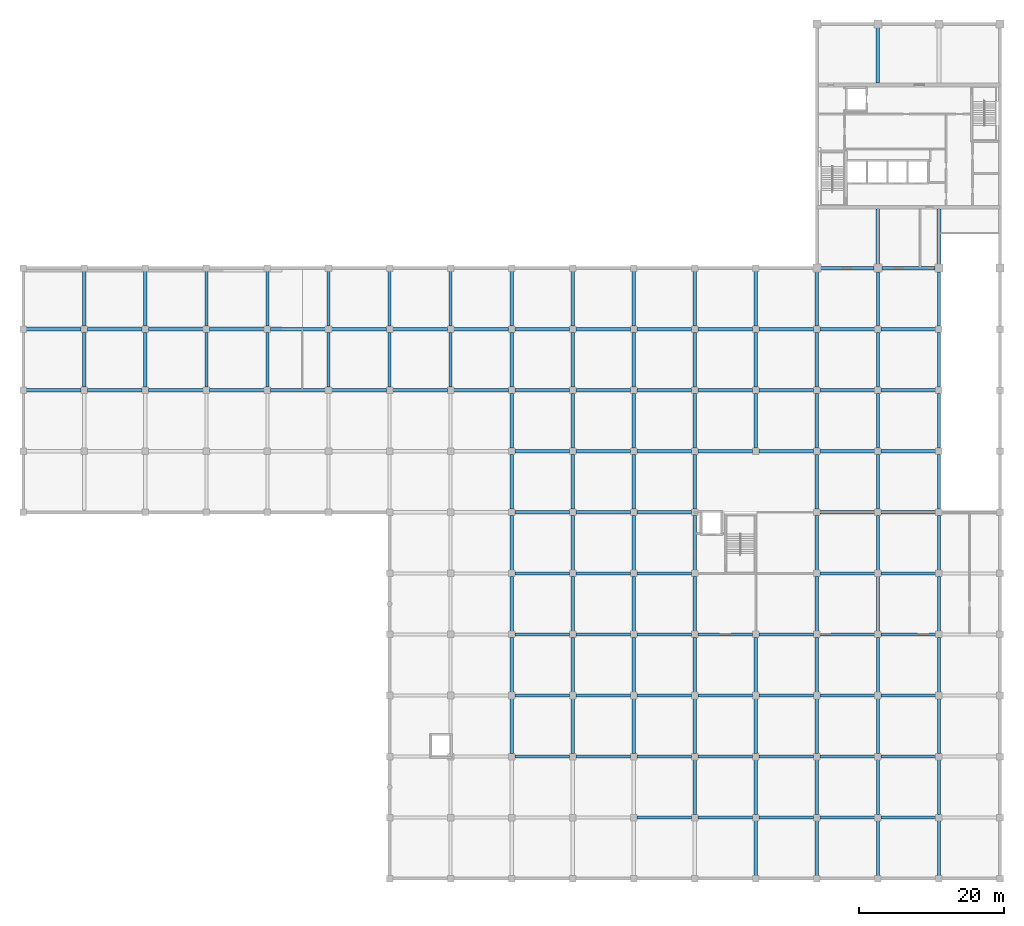
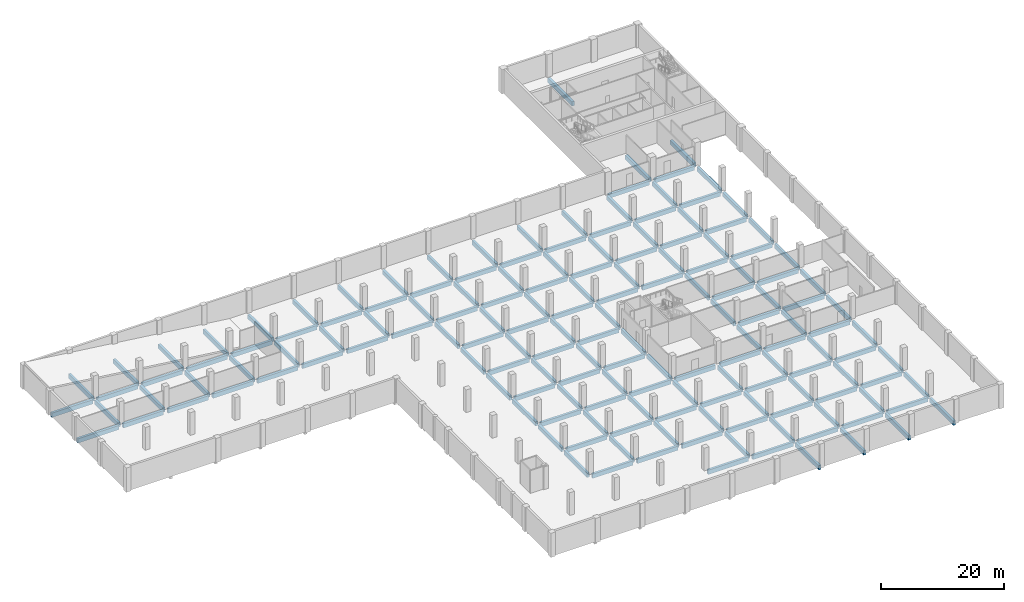
# One storey, part 2 of 13: 162 beams.
"""IFC4 building model written with IfcOpenShell, lengths in metres."""

from ifc_helpers import new_model, si_unit, direction, frame, origin, origin_2d, place, context, subcontext, project, spatial, rectangle, extrude, material, material_profile, profile_set, type_object, element, save


model = new_model("IFC4")

# Units and contexts
model_context = context("Model", 3, precision=1e-05, world=origin(), true_north=direction((0.0, 1.0)))
body_context = subcontext(model_context, "Body", "Model", "MODEL_VIEW")
ifc_project = project(units=[si_unit("LENGTHUNIT", "METRE"), si_unit("AREAUNIT", "SQUARE_METRE"), si_unit("VOLUMEUNIT", "CUBIC_METRE"), si_unit("PLANEANGLEUNIT", "RADIAN"), si_unit("MASSUNIT", "GRAM", prefix="KILO")], contexts=[model_context])

# Site, building, storey
site_placement = place(None, origin())
site = spatial("IfcSite", under=ifc_project, at=site_placement, CompositionType="ELEMENT")
building_placement = place(site_placement, origin())
building = spatial("IfcBuilding", under=site, at=building_placement, Name="Rulbaag Community and Learning Centre", CompositionType="ELEMENT")
storey_placement = place(building_placement, frame((0.0, 0.0, -4.800048828125)))
storey = spatial("IfcBuildingStorey", under=building, at=storey_placement, Name="B1", CompositionType="ELEMENT", Elevation=-4.800048828125)

# Beams
ifc_material = material(Name="Concrete M40", Category="concrete")
ifc_material_profile_1 = material_profile(ifc_material, rectangle(XDim=0.449951171875, YDim=0.800048828125, at=origin_2d()), Name="RB450x800")
ifc_profile_set_1 = profile_set([ifc_material_profile_1], Name="Concrete M40")
beam_type_1 = type_object("IfcBeamType", Name="B16 Tower frame beam, lower zone 450x800 Concrete M40", PredefinedType="BEAM", material=ifc_profile_set_1)
beam_1_placement = place(storey_placement, frame((143.10009765625, 84.0, -0.699951171875), z_axis=(1.0, 0.0, 0.0), x_axis=(0.0, 1.0, 0.0)))
element("IfcBeam", 1, at=beam_1_placement, inside=storey, type_object=beam_type_1, Name="BM-B1-18K-19K", PredefinedType="BEAM", context=body_context, shape_type="SweptSolid", body=[
    extrude(rectangle(XDim=0.449951171875, YDim=0.800048828125, at=origin_2d()), origin(), (0.0, 0.0, 1.0), 7.56982421875),
])
beam_2_placement = place(storey_placement, frame((151.72998046875, 84.0, -0.699951171875), z_axis=(1.0, 0.0, 0.0), x_axis=(0.0, 1.0, 0.0)))
element("IfcBeam", 2, at=beam_2_placement, inside=storey, type_object=beam_type_1, Name="BM-B1-19K-20K", PredefinedType="BEAM", context=body_context, shape_type="SweptSolid", body=[
    extrude(rectangle(XDim=0.449951171875, YDim=0.800048828125, at=origin_2d()), origin(), (0.0, 0.0, 1.0), 7.340087890625),
])
ifc_material_profile_2 = material_profile(ifc_material, rectangle(XDim=0.5, YDim=0.85009765625, at=origin_2d()), Name="RB500x850")
ifc_profile_set_2 = profile_set([ifc_material_profile_2], Name="Concrete M40")
beam_type_2 = type_object("IfcBeamType", Name="B18 Core-framing beam, lower zone 500x850 Concrete M40", PredefinedType="BEAM", material=ifc_profile_set_2)
beam_3_placement = place(storey_placement, frame((151.199951171875, 84.530029296875, -0.724853515625), z_axis=(0.0, 1.0, 0.0), x_axis=(-1.0, 0.0, 0.0)))
element("IfcBeam", 3, at=beam_3_placement, inside=storey, type_object=beam_type_2, Name="BM-B1-19K-19L", PredefinedType="BEAM", context=body_context, shape_type="SweptSolid", body=[
    extrude(rectangle(XDim=0.5, YDim=0.85009765625, at=origin_2d()), origin(), (0.0, 0.0, 1.0), 7.619873046875),
])
beam_4_placement = place(storey_placement, frame((151.199951171875, 109.449951171875, -0.724853515625), z_axis=(0.0, 1.0, 0.0), x_axis=(-1.0, 0.0, 0.0)))
element("IfcBeam", 4, at=beam_4_placement, inside=storey, type_object=beam_type_2, Name="BM-B1-19N-19O", PredefinedType="BEAM", context=body_context, shape_type="SweptSolid", body=[
    extrude(rectangle(XDim=0.5, YDim=0.85009765625, at=origin_2d()), origin(), (0.0, 0.0, 1.0), 7.85009765625),
])
beam_5_placement = place(storey_placement, frame((159.60009765625, 84.530029296875, -0.724853515625), z_axis=(0.0, 1.0, 0.0), x_axis=(-1.0, 0.0, 0.0)))
element("IfcBeam", 5, at=beam_5_placement, inside=storey, type_object=beam_type_2, Name="BM-B1-20K-20L", PredefinedType="BEAM", context=body_context, shape_type="SweptSolid", body=[
    extrude(rectangle(XDim=0.5, YDim=0.85009765625, at=origin_2d()), origin(), (0.0, 0.0, 1.0), 7.619873046875),
])
ifc_material_profile_3 = material_profile(ifc_material, rectangle(XDim=0.449951171875, YDim=0.85009765625, at=origin_2d()), Name="RB450x850")
ifc_profile_set_3 = profile_set([ifc_material_profile_3], Name="Concrete M40")
beam_type_3 = type_object("IfcBeamType", Name="B24 Basement floor beam 450x850 Concrete M40", PredefinedType="BEAM", material=ifc_profile_set_3)
for number, where, z_axis, x_axis, name in (
    (6, (33.89990234375, 67.199951171875, -0.724853515625), (1.0, 0.0, 0.0), (0.0, 1.0, 0.0), "BM-B1-5I-6I"),
    (7, (33.89990234375, 75.60009765625, -0.724853515625), (1.0, 0.0, 0.0), (0.0, 1.0, 0.0), "BM-B1-5J-6J"),
):
    element("IfcBeam", number, at=place(storey_placement, frame(where, z_axis=z_axis, x_axis=x_axis)), inside=storey, type_object=beam_type_3, Name=name, PredefinedType="BEAM", context=body_context, shape_type="SweptSolid", body=[
        extrude(rectangle(XDim=0.449951171875, YDim=0.85009765625, at=origin_2d()), origin(), (0.0, 0.0, 1.0), 7.670166015625),
    ])
for number, where, z_axis, x_axis, name in (
    (8, (42.429931640625, 67.199951171875, -0.724853515625), (1.0, 0.0, 0.0), (0.0, 1.0, 0.0), "BM-B1-6I-7I"),
    (9, (42.0, 67.6298828125, -0.724853515625), (0.0, 1.0, 0.0), (-1.0, 0.0, 0.0), "BM-B1-6I-6J"),
    (10, (42.429931640625, 75.60009765625, -0.724853515625), (1.0, 0.0, 0.0), (0.0, 1.0, 0.0), "BM-B1-6J-7J"),
):
    element("IfcBeam", number, at=place(storey_placement, frame(where, z_axis=z_axis, x_axis=x_axis)), inside=storey, type_object=beam_type_3, Name=name, PredefinedType="BEAM", context=body_context, shape_type="SweptSolid", body=[
        extrude(rectangle(XDim=0.449951171875, YDim=0.85009765625, at=origin_2d()), origin(), (0.0, 0.0, 1.0), 7.5400390625),
    ])
beam_6_placement = place(storey_placement, frame((42.0, 76.030029296875, -0.724853515625), z_axis=(0.0, 1.0, 0.0), x_axis=(-1.0, 0.0, 0.0)))
element("IfcBeam", 11, at=beam_6_placement, inside=storey, type_object=beam_type_3, Name="BM-B1-6J-6K", PredefinedType="BEAM", context=body_context, shape_type="SweptSolid", body=[
    extrude(rectangle(XDim=0.449951171875, YDim=0.85009765625, at=origin_2d()), origin(), (0.0, 0.0, 1.0), 7.669921875),
])
for number, where, z_axis, x_axis, name in (
    (12, (50.830078125, 67.199951171875, -0.724853515625), (1.0, 0.0, 0.0), (0.0, 1.0, 0.0), "BM-B1-7I-8I"),
    (13, (50.39990234375, 67.6298828125, -0.724853515625), (0.0, 1.0, 0.0), (-1.0, 0.0, 0.0), "BM-B1-7I-7J"),
    (14, (50.830078125, 75.60009765625, -0.724853515625), (1.0, 0.0, 0.0), (0.0, 1.0, 0.0), "BM-B1-7J-8J"),
):
    element("IfcBeam", number, at=place(storey_placement, frame(where, z_axis=z_axis, x_axis=x_axis)), inside=storey, type_object=beam_type_3, Name=name, PredefinedType="BEAM", context=body_context, shape_type="SweptSolid", body=[
        extrude(rectangle(XDim=0.449951171875, YDim=0.85009765625, at=origin_2d()), origin(), (0.0, 0.0, 1.0), 7.5400390625),
    ])
beam_7_placement = place(storey_placement, frame((50.39990234375, 76.030029296875, -0.724853515625), z_axis=(0.0, 1.0, 0.0), x_axis=(-1.0, 0.0, 0.0)))
element("IfcBeam", 15, at=beam_7_placement, inside=storey, type_object=beam_type_3, Name="BM-B1-7J-7K", PredefinedType="BEAM", context=body_context, shape_type="SweptSolid", body=[
    extrude(rectangle(XDim=0.449951171875, YDim=0.85009765625, at=origin_2d()), origin(), (0.0, 0.0, 1.0), 7.669921875),
])
for number, where, z_axis, x_axis, name in (
    (16, (59.22998046875, 67.199951171875, -0.724853515625), (1.0, 0.0, 0.0), (0.0, 1.0, 0.0), "BM-B1-8I-9I"),
    (17, (58.800048828125, 67.6298828125, -0.724853515625), (0.0, 1.0, 0.0), (-1.0, 0.0, 0.0), "BM-B1-8I-8J"),
    (18, (59.22998046875, 75.60009765625, -0.724853515625), (1.0, 0.0, 0.0), (0.0, 1.0, 0.0), "BM-B1-8J-9J"),
):
    element("IfcBeam", number, at=place(storey_placement, frame(where, z_axis=z_axis, x_axis=x_axis)), inside=storey, type_object=beam_type_3, Name=name, PredefinedType="BEAM", context=body_context, shape_type="SweptSolid", body=[
        extrude(rectangle(XDim=0.449951171875, YDim=0.85009765625, at=origin_2d()), origin(), (0.0, 0.0, 1.0), 7.5400390625),
    ])
beam_8_placement = place(storey_placement, frame((58.800048828125, 76.030029296875, -0.724853515625), z_axis=(0.0, 1.0, 0.0), x_axis=(-1.0, 0.0, 0.0)))
element("IfcBeam", 19, at=beam_8_placement, inside=storey, type_object=beam_type_3, Name="BM-B1-8J-8K", PredefinedType="BEAM", context=body_context, shape_type="SweptSolid", body=[
    extrude(rectangle(XDim=0.449951171875, YDim=0.85009765625, at=origin_2d()), origin(), (0.0, 0.0, 1.0), 7.669921875),
])
for number, where, z_axis, x_axis, name in (
    (20, (67.6298828125, 67.199951171875, -0.724853515625), (1.0, 0.0, 0.0), (0.0, 1.0, 0.0), "BM-B1-9I-10I"),
    (21, (67.199951171875, 67.6298828125, -0.724853515625), (0.0, 1.0, 0.0), (-1.0, 0.0, 0.0), "BM-B1-9I-9J"),
    (22, (67.6298828125, 75.60009765625, -0.724853515625), (1.0, 0.0, 0.0), (0.0, 1.0, 0.0), "BM-B1-9J-10J"),
):
    element("IfcBeam", number, at=place(storey_placement, frame(where, z_axis=z_axis, x_axis=x_axis)), inside=storey, type_object=beam_type_3, Name=name, PredefinedType="BEAM", context=body_context, shape_type="SweptSolid", body=[
        extrude(rectangle(XDim=0.449951171875, YDim=0.85009765625, at=origin_2d()), origin(), (0.0, 0.0, 1.0), 7.5400390625),
    ])
beam_9_placement = place(storey_placement, frame((67.199951171875, 76.030029296875, -0.724853515625), z_axis=(0.0, 1.0, 0.0), x_axis=(-1.0, 0.0, 0.0)))
element("IfcBeam", 23, at=beam_9_placement, inside=storey, type_object=beam_type_3, Name="BM-B1-9J-9K", PredefinedType="BEAM", context=body_context, shape_type="SweptSolid", body=[
    extrude(rectangle(XDim=0.449951171875, YDim=0.85009765625, at=origin_2d()), origin(), (0.0, 0.0, 1.0), 7.669921875),
])
for number, where, z_axis, x_axis, name in (
    (24, (76.030029296875, 67.199951171875, -0.724853515625), (1.0, 0.0, 0.0), (0.0, 1.0, 0.0), "BM-B1-10I-11I"),
    (25, (75.60009765625, 67.6298828125, -0.724853515625), (0.0, 1.0, 0.0), (-1.0, 0.0, 0.0), "BM-B1-10I-10J"),
    (26, (76.030029296875, 75.60009765625, -0.724853515625), (1.0, 0.0, 0.0), (0.0, 1.0, 0.0), "BM-B1-10J-11J"),
):
    element("IfcBeam", number, at=place(storey_placement, frame(where, z_axis=z_axis, x_axis=x_axis)), inside=storey, type_object=beam_type_3, Name=name, PredefinedType="BEAM", context=body_context, shape_type="SweptSolid", body=[
        extrude(rectangle(XDim=0.449951171875, YDim=0.85009765625, at=origin_2d()), origin(), (0.0, 0.0, 1.0), 7.5400390625),
    ])
beam_10_placement = place(storey_placement, frame((75.60009765625, 76.030029296875, -0.724853515625), z_axis=(0.0, 1.0, 0.0), x_axis=(-1.0, 0.0, 0.0)))
element("IfcBeam", 27, at=beam_10_placement, inside=storey, type_object=beam_type_3, Name="BM-B1-10J-10K", PredefinedType="BEAM", context=body_context, shape_type="SweptSolid", body=[
    extrude(rectangle(XDim=0.449951171875, YDim=0.85009765625, at=origin_2d()), origin(), (0.0, 0.0, 1.0), 7.669921875),
])
for number, where, z_axis, x_axis, name in (
    (28, (84.429931640625, 67.199951171875, -0.724853515625), (1.0, 0.0, 0.0), (0.0, 1.0, 0.0), "BM-B1-11I-12I"),
    (29, (84.0, 67.6298828125, -0.724853515625), (0.0, 1.0, 0.0), (-1.0, 0.0, 0.0), "BM-B1-11I-11J"),
    (30, (84.429931640625, 75.60009765625, -0.724853515625), (1.0, 0.0, 0.0), (0.0, 1.0, 0.0), "BM-B1-11J-12J"),
):
    element("IfcBeam", number, at=place(storey_placement, frame(where, z_axis=z_axis, x_axis=x_axis)), inside=storey, type_object=beam_type_3, Name=name, PredefinedType="BEAM", context=body_context, shape_type="SweptSolid", body=[
        extrude(rectangle(XDim=0.449951171875, YDim=0.85009765625, at=origin_2d()), origin(), (0.0, 0.0, 1.0), 7.5400390625),
    ])
beam_11_placement = place(storey_placement, frame((84.0, 76.030029296875, -0.724853515625), z_axis=(0.0, 1.0, 0.0), x_axis=(-1.0, 0.0, 0.0)))
element("IfcBeam", 31, at=beam_11_placement, inside=storey, type_object=beam_type_3, Name="BM-B1-11J-11K", PredefinedType="BEAM", context=body_context, shape_type="SweptSolid", body=[
    extrude(rectangle(XDim=0.449951171875, YDim=0.85009765625, at=origin_2d()), origin(), (0.0, 0.0, 1.0), 7.669921875),
])
for number, where, z_axis, x_axis, name in (
    (32, (92.830078125, 67.199951171875, -0.724853515625), (1.0, 0.0, 0.0), (0.0, 1.0, 0.0), "BM-B1-12I-13I"),
    (33, (92.39990234375, 67.6298828125, -0.724853515625), (0.0, 1.0, 0.0), (-1.0, 0.0, 0.0), "BM-B1-12I-12J"),
    (34, (92.830078125, 75.60009765625, -0.724853515625), (1.0, 0.0, 0.0), (0.0, 1.0, 0.0), "BM-B1-12J-13J"),
):
    element("IfcBeam", number, at=place(storey_placement, frame(where, z_axis=z_axis, x_axis=x_axis)), inside=storey, type_object=beam_type_3, Name=name, PredefinedType="BEAM", context=body_context, shape_type="SweptSolid", body=[
        extrude(rectangle(XDim=0.449951171875, YDim=0.85009765625, at=origin_2d()), origin(), (0.0, 0.0, 1.0), 7.5400390625),
    ])
beam_12_placement = place(storey_placement, frame((92.39990234375, 76.030029296875, -0.724853515625), z_axis=(0.0, 1.0, 0.0), x_axis=(-1.0, 0.0, 0.0)))
element("IfcBeam", 35, at=beam_12_placement, inside=storey, type_object=beam_type_3, Name="BM-B1-12J-12K", PredefinedType="BEAM", context=body_context, shape_type="SweptSolid", body=[
    extrude(rectangle(XDim=0.449951171875, YDim=0.85009765625, at=origin_2d()), origin(), (0.0, 0.0, 1.0), 7.669921875),
])
for number, where, z_axis, x_axis, name in (
    (36, (101.22998046875, 16.800048828125, -0.724853515625), (1.0, 0.0, 0.0), (0.0, 1.0, 0.0), "BM-B1-13C-14C"),
    (37, (100.800048828125, 17.22998046875, -0.724853515625), (0.0, 1.0, 0.0), (-1.0, 0.0, 0.0), "BM-B1-13C-13D"),
    (38, (101.22998046875, 25.199951171875, -0.724853515625), (1.0, 0.0, 0.0), (0.0, 1.0, 0.0), "BM-B1-13D-14D"),
    (39, (100.800048828125, 25.6298828125, -0.724853515625), (0.0, 1.0, 0.0), (-1.0, 0.0, 0.0), "BM-B1-13D-13E"),
    (40, (101.22998046875, 33.60009765625, -0.724853515625), (1.0, 0.0, 0.0), (0.0, 1.0, 0.0), "BM-B1-13E-14E"),
    (41, (100.800048828125, 34.030029296875, -0.724853515625), (0.0, 1.0, 0.0), (-1.0, 0.0, 0.0), "BM-B1-13E-13F"),
    (42, (101.22998046875, 42.0, -0.724853515625), (1.0, 0.0, 0.0), (0.0, 1.0, 0.0), "BM-B1-13F-14F"),
    (43, (100.800048828125, 42.429931640625, -0.724853515625), (0.0, 1.0, 0.0), (-1.0, 0.0, 0.0), "BM-B1-13F-13G"),
    (44, (101.22998046875, 50.39990234375, -0.724853515625), (1.0, 0.0, 0.0), (0.0, 1.0, 0.0), "BM-B1-13G-14G"),
    (45, (100.800048828125, 50.830078125, -0.724853515625), (0.0, 1.0, 0.0), (-1.0, 0.0, 0.0), "BM-B1-13G-13H"),
    (46, (101.22998046875, 58.800048828125, -0.724853515625), (1.0, 0.0, 0.0), (0.0, 1.0, 0.0), "BM-B1-13H-14H"),
    (47, (100.800048828125, 59.22998046875, -0.724853515625), (0.0, 1.0, 0.0), (-1.0, 0.0, 0.0), "BM-B1-13H-13I"),
    (48, (101.22998046875, 67.199951171875, -0.724853515625), (1.0, 0.0, 0.0), (0.0, 1.0, 0.0), "BM-B1-13I-14I"),
    (49, (100.800048828125, 67.6298828125, -0.724853515625), (0.0, 1.0, 0.0), (-1.0, 0.0, 0.0), "BM-B1-13I-13J"),
    (50, (101.22998046875, 75.60009765625, -0.724853515625), (1.0, 0.0, 0.0), (0.0, 1.0, 0.0), "BM-B1-13J-14J"),
):
    element("IfcBeam", number, at=place(storey_placement, frame(where, z_axis=z_axis, x_axis=x_axis)), inside=storey, type_object=beam_type_3, Name=name, PredefinedType="BEAM", context=body_context, shape_type="SweptSolid", body=[
        extrude(rectangle(XDim=0.449951171875, YDim=0.85009765625, at=origin_2d()), origin(), (0.0, 0.0, 1.0), 7.5400390625),
    ])
beam_13_placement = place(storey_placement, frame((100.800048828125, 76.030029296875, -0.724853515625), z_axis=(0.0, 1.0, 0.0), x_axis=(-1.0, 0.0, 0.0)))
element("IfcBeam", 51, at=beam_13_placement, inside=storey, type_object=beam_type_3, Name="BM-B1-13J-13K", PredefinedType="BEAM", context=body_context, shape_type="SweptSolid", body=[
    extrude(rectangle(XDim=0.449951171875, YDim=0.85009765625, at=origin_2d()), origin(), (0.0, 0.0, 1.0), 7.669921875),
])
for number, where, z_axis, x_axis, name in (
    (52, (109.6298828125, 16.800048828125, -0.724853515625), (1.0, 0.0, 0.0), (0.0, 1.0, 0.0), "BM-B1-14C-15C"),
    (53, (109.199951171875, 17.22998046875, -0.724853515625), (0.0, 1.0, 0.0), (-1.0, 0.0, 0.0), "BM-B1-14C-14D"),
    (54, (109.6298828125, 25.199951171875, -0.724853515625), (1.0, 0.0, 0.0), (0.0, 1.0, 0.0), "BM-B1-14D-15D"),
    (55, (109.199951171875, 25.6298828125, -0.724853515625), (0.0, 1.0, 0.0), (-1.0, 0.0, 0.0), "BM-B1-14D-14E"),
    (56, (109.6298828125, 33.60009765625, -0.724853515625), (1.0, 0.0, 0.0), (0.0, 1.0, 0.0), "BM-B1-14E-15E"),
    (57, (109.199951171875, 34.030029296875, -0.724853515625), (0.0, 1.0, 0.0), (-1.0, 0.0, 0.0), "BM-B1-14E-14F"),
    (58, (109.6298828125, 42.0, -0.724853515625), (1.0, 0.0, 0.0), (0.0, 1.0, 0.0), "BM-B1-14F-15F"),
    (59, (109.199951171875, 42.429931640625, -0.724853515625), (0.0, 1.0, 0.0), (-1.0, 0.0, 0.0), "BM-B1-14F-14G"),
    (60, (109.6298828125, 50.39990234375, -0.724853515625), (1.0, 0.0, 0.0), (0.0, 1.0, 0.0), "BM-B1-14G-15G"),
    (61, (109.199951171875, 50.830078125, -0.724853515625), (0.0, 1.0, 0.0), (-1.0, 0.0, 0.0), "BM-B1-14G-14H"),
    (62, (109.6298828125, 58.800048828125, -0.724853515625), (1.0, 0.0, 0.0), (0.0, 1.0, 0.0), "BM-B1-14H-15H"),
    (63, (109.199951171875, 59.22998046875, -0.724853515625), (0.0, 1.0, 0.0), (-1.0, 0.0, 0.0), "BM-B1-14H-14I"),
    (64, (109.6298828125, 67.199951171875, -0.724853515625), (1.0, 0.0, 0.0), (0.0, 1.0, 0.0), "BM-B1-14I-15I"),
    (65, (109.199951171875, 67.6298828125, -0.724853515625), (0.0, 1.0, 0.0), (-1.0, 0.0, 0.0), "BM-B1-14I-14J"),
    (66, (109.6298828125, 75.60009765625, -0.724853515625), (1.0, 0.0, 0.0), (0.0, 1.0, 0.0), "BM-B1-14J-15J"),
):
    element("IfcBeam", number, at=place(storey_placement, frame(where, z_axis=z_axis, x_axis=x_axis)), inside=storey, type_object=beam_type_3, Name=name, PredefinedType="BEAM", context=body_context, shape_type="SweptSolid", body=[
        extrude(rectangle(XDim=0.449951171875, YDim=0.85009765625, at=origin_2d()), origin(), (0.0, 0.0, 1.0), 7.5400390625),
    ])
beam_14_placement = place(storey_placement, frame((109.199951171875, 76.030029296875, -0.724853515625), z_axis=(0.0, 1.0, 0.0), x_axis=(-1.0, 0.0, 0.0)))
element("IfcBeam", 67, at=beam_14_placement, inside=storey, type_object=beam_type_3, Name="BM-B1-14J-14K", PredefinedType="BEAM", context=body_context, shape_type="SweptSolid", body=[
    extrude(rectangle(XDim=0.449951171875, YDim=0.85009765625, at=origin_2d()), origin(), (0.0, 0.0, 1.0), 7.669921875),
])
for number, where, z_axis, x_axis, name in (
    (68, (118.030029296875, 8.39990234375, -0.724853515625), (1.0, 0.0, 0.0), (0.0, 1.0, 0.0), "BM-B1-15B-16B"),
    (69, (118.030029296875, 16.800048828125, -0.724853515625), (1.0, 0.0, 0.0), (0.0, 1.0, 0.0), "BM-B1-15C-16C"),
    (70, (117.60009765625, 17.22998046875, -0.724853515625), (0.0, 1.0, 0.0), (-1.0, 0.0, 0.0), "BM-B1-15C-15D"),
    (71, (118.030029296875, 25.199951171875, -0.724853515625), (1.0, 0.0, 0.0), (0.0, 1.0, 0.0), "BM-B1-15D-16D"),
    (72, (117.60009765625, 25.6298828125, -0.724853515625), (0.0, 1.0, 0.0), (-1.0, 0.0, 0.0), "BM-B1-15D-15E"),
    (73, (118.030029296875, 33.60009765625, -0.724853515625), (1.0, 0.0, 0.0), (0.0, 1.0, 0.0), "BM-B1-15E-16E"),
    (74, (117.60009765625, 34.030029296875, -0.724853515625), (0.0, 1.0, 0.0), (-1.0, 0.0, 0.0), "BM-B1-15E-15F"),
    (75, (118.030029296875, 42.0, -0.724853515625), (1.0, 0.0, 0.0), (0.0, 1.0, 0.0), "BM-B1-15F-16F"),
    (76, (117.60009765625, 42.429931640625, -0.724853515625), (0.0, 1.0, 0.0), (-1.0, 0.0, 0.0), "BM-B1-15F-15G"),
    (77, (118.030029296875, 50.39990234375, -0.724853515625), (1.0, 0.0, 0.0), (0.0, 1.0, 0.0), "BM-B1-15G-16G"),
    (78, (117.60009765625, 50.830078125, -0.724853515625), (0.0, 1.0, 0.0), (-1.0, 0.0, 0.0), "BM-B1-15G-15H"),
    (79, (118.030029296875, 58.800048828125, -0.724853515625), (1.0, 0.0, 0.0), (0.0, 1.0, 0.0), "BM-B1-15H-16H"),
    (80, (117.60009765625, 59.22998046875, -0.724853515625), (0.0, 1.0, 0.0), (-1.0, 0.0, 0.0), "BM-B1-15H-15I"),
    (81, (118.030029296875, 67.199951171875, -0.724853515625), (1.0, 0.0, 0.0), (0.0, 1.0, 0.0), "BM-B1-15I-16I"),
    (82, (117.60009765625, 67.6298828125, -0.724853515625), (0.0, 1.0, 0.0), (-1.0, 0.0, 0.0), "BM-B1-15I-15J"),
    (83, (118.030029296875, 75.60009765625, -0.724853515625), (1.0, 0.0, 0.0), (0.0, 1.0, 0.0), "BM-B1-15J-16J"),
):
    element("IfcBeam", number, at=place(storey_placement, frame(where, z_axis=z_axis, x_axis=x_axis)), inside=storey, type_object=beam_type_3, Name=name, PredefinedType="BEAM", context=body_context, shape_type="SweptSolid", body=[
        extrude(rectangle(XDim=0.449951171875, YDim=0.85009765625, at=origin_2d()), origin(), (0.0, 0.0, 1.0), 7.5400390625),
    ])
beam_15_placement = place(storey_placement, frame((117.60009765625, 76.030029296875, -0.724853515625), z_axis=(0.0, 1.0, 0.0), x_axis=(-1.0, 0.0, 0.0)))
element("IfcBeam", 84, at=beam_15_placement, inside=storey, type_object=beam_type_3, Name="BM-B1-15J-15K", PredefinedType="BEAM", context=body_context, shape_type="SweptSolid", body=[
    extrude(rectangle(XDim=0.449951171875, YDim=0.85009765625, at=origin_2d()), origin(), (0.0, 0.0, 1.0), 7.669921875),
])
for number, where, z_axis, x_axis, name in (
    (85, (126.429931640625, 8.39990234375, -0.724853515625), (1.0, 0.0, 0.0), (0.0, 1.0, 0.0), "BM-B1-16B-17B"),
    (86, (126.0, 8.830078125, -0.724853515625), (0.0, 1.0, 0.0), (-1.0, 0.0, 0.0), "BM-B1-16B-16C"),
    (87, (126.429931640625, 16.800048828125, -0.724853515625), (1.0, 0.0, 0.0), (0.0, 1.0, 0.0), "BM-B1-16C-17C"),
    (88, (126.0, 17.22998046875, -0.724853515625), (0.0, 1.0, 0.0), (-1.0, 0.0, 0.0), "BM-B1-16C-16D"),
    (89, (126.429931640625, 25.199951171875, -0.724853515625), (1.0, 0.0, 0.0), (0.0, 1.0, 0.0), "BM-B1-16D-17D"),
    (90, (126.0, 25.6298828125, -0.724853515625), (0.0, 1.0, 0.0), (-1.0, 0.0, 0.0), "BM-B1-16D-16E"),
    (91, (126.429931640625, 33.60009765625, -0.724853515625), (1.0, 0.0, 0.0), (0.0, 1.0, 0.0), "BM-B1-16E-17E"),
    (92, (126.0, 34.030029296875, -0.724853515625), (0.0, 1.0, 0.0), (-1.0, 0.0, 0.0), "BM-B1-16E-16F"),
    (93, (126.0, 42.429931640625, -0.724853515625), (0.0, 1.0, 0.0), (-1.0, 0.0, 0.0), "BM-B1-16F-16G"),
    (94, (126.0, 50.830078125, -0.724853515625), (0.0, 1.0, 0.0), (-1.0, 0.0, 0.0), "BM-B1-16G-16H"),
    (95, (126.429931640625, 58.800048828125, -0.724853515625), (1.0, 0.0, 0.0), (0.0, 1.0, 0.0), "BM-B1-16H-17H"),
    (96, (126.0, 59.22998046875, -0.724853515625), (0.0, 1.0, 0.0), (-1.0, 0.0, 0.0), "BM-B1-16H-16I"),
    (97, (126.429931640625, 67.199951171875, -0.724853515625), (1.0, 0.0, 0.0), (0.0, 1.0, 0.0), "BM-B1-16I-17I"),
    (98, (126.0, 67.6298828125, -0.724853515625), (0.0, 1.0, 0.0), (-1.0, 0.0, 0.0), "BM-B1-16I-16J"),
    (99, (126.429931640625, 75.60009765625, -0.724853515625), (1.0, 0.0, 0.0), (0.0, 1.0, 0.0), "BM-B1-16J-17J"),
):
    element("IfcBeam", number, at=place(storey_placement, frame(where, z_axis=z_axis, x_axis=x_axis)), inside=storey, type_object=beam_type_3, Name=name, PredefinedType="BEAM", context=body_context, shape_type="SweptSolid", body=[
        extrude(rectangle(XDim=0.449951171875, YDim=0.85009765625, at=origin_2d()), origin(), (0.0, 0.0, 1.0), 7.5400390625),
    ])
for number, where, z_axis, x_axis, name in (
    (100, (126.0, 76.030029296875, -0.724853515625), (0.0, 1.0, 0.0), (-1.0, 0.0, 0.0), "BM-B1-16J-16K"),
    (101, (134.39990234375, 0.300048828125, -0.724853515625), (0.0, 1.0, 0.0), (-1.0, 0.0, 0.0), "BM-B1-17A-17B"),
):
    element("IfcBeam", number, at=place(storey_placement, frame(where, z_axis=z_axis, x_axis=x_axis)), inside=storey, type_object=beam_type_3, Name=name, PredefinedType="BEAM", context=body_context, shape_type="SweptSolid", body=[
        extrude(rectangle(XDim=0.449951171875, YDim=0.85009765625, at=origin_2d()), origin(), (0.0, 0.0, 1.0), 7.669921875),
    ])
for number, where, z_axis, x_axis, name in (
    (102, (134.830078125, 8.39990234375, -0.724853515625), (1.0, 0.0, 0.0), (0.0, 1.0, 0.0), "BM-B1-17B-18B"),
    (103, (134.39990234375, 8.830078125, -0.724853515625), (0.0, 1.0, 0.0), (-1.0, 0.0, 0.0), "BM-B1-17B-17C"),
    (104, (134.830078125, 16.800048828125, -0.724853515625), (1.0, 0.0, 0.0), (0.0, 1.0, 0.0), "BM-B1-17C-18C"),
    (105, (134.39990234375, 17.22998046875, -0.724853515625), (0.0, 1.0, 0.0), (-1.0, 0.0, 0.0), "BM-B1-17C-17D"),
    (106, (134.830078125, 25.199951171875, -0.724853515625), (1.0, 0.0, 0.0), (0.0, 1.0, 0.0), "BM-B1-17D-18D"),
    (107, (134.39990234375, 25.6298828125, -0.724853515625), (0.0, 1.0, 0.0), (-1.0, 0.0, 0.0), "BM-B1-17D-17E"),
    (108, (134.830078125, 33.60009765625, -0.724853515625), (1.0, 0.0, 0.0), (0.0, 1.0, 0.0), "BM-B1-17E-18E"),
    (109, (134.830078125, 58.800048828125, -0.724853515625), (1.0, 0.0, 0.0), (0.0, 1.0, 0.0), "BM-B1-17H-18H"),
    (110, (134.39990234375, 59.22998046875, -0.724853515625), (0.0, 1.0, 0.0), (-1.0, 0.0, 0.0), "BM-B1-17H-17I"),
    (111, (134.830078125, 67.199951171875, -0.724853515625), (1.0, 0.0, 0.0), (0.0, 1.0, 0.0), "BM-B1-17I-18I"),
    (112, (134.39990234375, 67.6298828125, -0.724853515625), (0.0, 1.0, 0.0), (-1.0, 0.0, 0.0), "BM-B1-17I-17J"),
    (113, (134.830078125, 75.60009765625, -0.724853515625), (1.0, 0.0, 0.0), (0.0, 1.0, 0.0), "BM-B1-17J-18J"),
):
    element("IfcBeam", number, at=place(storey_placement, frame(where, z_axis=z_axis, x_axis=x_axis)), inside=storey, type_object=beam_type_3, Name=name, PredefinedType="BEAM", context=body_context, shape_type="SweptSolid", body=[
        extrude(rectangle(XDim=0.449951171875, YDim=0.85009765625, at=origin_2d()), origin(), (0.0, 0.0, 1.0), 7.5400390625),
    ])
for number, where, z_axis, x_axis, name in (
    (114, (134.39990234375, 76.030029296875, -0.724853515625), (0.0, 1.0, 0.0), (-1.0, 0.0, 0.0), "BM-B1-17J-17K"),
    (115, (142.800048828125, 0.300048828125, -0.724853515625), (0.0, 1.0, 0.0), (-1.0, 0.0, 0.0), "BM-B1-18A-18B"),
):
    element("IfcBeam", number, at=place(storey_placement, frame(where, z_axis=z_axis, x_axis=x_axis)), inside=storey, type_object=beam_type_3, Name=name, PredefinedType="BEAM", context=body_context, shape_type="SweptSolid", body=[
        extrude(rectangle(XDim=0.449951171875, YDim=0.85009765625, at=origin_2d()), origin(), (0.0, 0.0, 1.0), 7.669921875),
    ])
for number, where, z_axis, x_axis, name in (
    (116, (143.22998046875, 8.39990234375, -0.724853515625), (1.0, 0.0, 0.0), (0.0, 1.0, 0.0), "BM-B1-18B-19B"),
    (117, (142.800048828125, 8.830078125, -0.724853515625), (0.0, 1.0, 0.0), (-1.0, 0.0, 0.0), "BM-B1-18B-18C"),
    (118, (143.22998046875, 16.800048828125, -0.724853515625), (1.0, 0.0, 0.0), (0.0, 1.0, 0.0), "BM-B1-18C-19C"),
    (119, (142.800048828125, 17.22998046875, -0.724853515625), (0.0, 1.0, 0.0), (-1.0, 0.0, 0.0), "BM-B1-18C-18D"),
    (120, (143.22998046875, 25.199951171875, -0.724853515625), (1.0, 0.0, 0.0), (0.0, 1.0, 0.0), "BM-B1-18D-19D"),
    (121, (142.800048828125, 25.6298828125, -0.724853515625), (0.0, 1.0, 0.0), (-1.0, 0.0, 0.0), "BM-B1-18D-18E"),
    (122, (143.22998046875, 33.60009765625, -0.724853515625), (1.0, 0.0, 0.0), (0.0, 1.0, 0.0), "BM-B1-18E-19E"),
    (123, (142.800048828125, 34.030029296875, -0.724853515625), (0.0, 1.0, 0.0), (-1.0, 0.0, 0.0), "BM-B1-18E-18F"),
    (124, (143.22998046875, 42.0, -0.724853515625), (1.0, 0.0, 0.0), (0.0, 1.0, 0.0), "BM-B1-18F-19F"),
    (125, (142.800048828125, 42.429931640625, -0.724853515625), (0.0, 1.0, 0.0), (-1.0, 0.0, 0.0), "BM-B1-18F-18G"),
    (126, (143.22998046875, 50.39990234375, -0.724853515625), (1.0, 0.0, 0.0), (0.0, 1.0, 0.0), "BM-B1-18G-19G"),
    (127, (142.800048828125, 50.830078125, -0.724853515625), (0.0, 1.0, 0.0), (-1.0, 0.0, 0.0), "BM-B1-18G-18H"),
    (128, (143.22998046875, 58.800048828125, -0.724853515625), (1.0, 0.0, 0.0), (0.0, 1.0, 0.0), "BM-B1-18H-19H"),
    (129, (142.800048828125, 59.22998046875, -0.724853515625), (0.0, 1.0, 0.0), (-1.0, 0.0, 0.0), "BM-B1-18H-18I"),
    (130, (143.22998046875, 67.199951171875, -0.724853515625), (1.0, 0.0, 0.0), (0.0, 1.0, 0.0), "BM-B1-18I-19I"),
    (131, (142.800048828125, 67.6298828125, -0.724853515625), (0.0, 1.0, 0.0), (-1.0, 0.0, 0.0), "BM-B1-18I-18J"),
    (132, (143.22998046875, 75.60009765625, -0.724853515625), (1.0, 0.0, 0.0), (0.0, 1.0, 0.0), "BM-B1-18J-19J"),
):
    element("IfcBeam", number, at=place(storey_placement, frame(where, z_axis=z_axis, x_axis=x_axis)), inside=storey, type_object=beam_type_3, Name=name, PredefinedType="BEAM", context=body_context, shape_type="SweptSolid", body=[
        extrude(rectangle(XDim=0.449951171875, YDim=0.85009765625, at=origin_2d()), origin(), (0.0, 0.0, 1.0), 7.5400390625),
    ])
for number, where, z_axis, x_axis, name in (
    (133, (142.800048828125, 76.030029296875, -0.724853515625), (0.0, 1.0, 0.0), (-1.0, 0.0, 0.0), "BM-B1-18J-18K"),
    (134, (151.199951171875, 0.300048828125, -0.724853515625), (0.0, 1.0, 0.0), (-1.0, 0.0, 0.0), "BM-B1-19A-19B"),
):
    element("IfcBeam", number, at=place(storey_placement, frame(where, z_axis=z_axis, x_axis=x_axis)), inside=storey, type_object=beam_type_3, Name=name, PredefinedType="BEAM", context=body_context, shape_type="SweptSolid", body=[
        extrude(rectangle(XDim=0.449951171875, YDim=0.85009765625, at=origin_2d()), origin(), (0.0, 0.0, 1.0), 7.669921875),
    ])
for number, where, z_axis, x_axis, name in (
    (135, (151.6298828125, 8.39990234375, -0.724853515625), (1.0, 0.0, 0.0), (0.0, 1.0, 0.0), "BM-B1-19B-20B"),
    (136, (151.199951171875, 8.830078125, -0.724853515625), (0.0, 1.0, 0.0), (-1.0, 0.0, 0.0), "BM-B1-19B-19C"),
    (137, (151.6298828125, 16.800048828125, -0.724853515625), (1.0, 0.0, 0.0), (0.0, 1.0, 0.0), "BM-B1-19C-20C"),
    (138, (151.199951171875, 17.22998046875, -0.724853515625), (0.0, 1.0, 0.0), (-1.0, 0.0, 0.0), "BM-B1-19C-19D"),
    (139, (151.6298828125, 25.199951171875, -0.724853515625), (1.0, 0.0, 0.0), (0.0, 1.0, 0.0), "BM-B1-19D-20D"),
    (140, (151.199951171875, 25.6298828125, -0.724853515625), (0.0, 1.0, 0.0), (-1.0, 0.0, 0.0), "BM-B1-19D-19E"),
    (141, (151.6298828125, 33.60009765625, -0.724853515625), (1.0, 0.0, 0.0), (0.0, 1.0, 0.0), "BM-B1-19E-20E"),
    (142, (151.199951171875, 34.030029296875, -0.724853515625), (0.0, 1.0, 0.0), (-1.0, 0.0, 0.0), "BM-B1-19E-19F"),
    (143, (151.6298828125, 42.0, -0.724853515625), (1.0, 0.0, 0.0), (0.0, 1.0, 0.0), "BM-B1-19F-20F"),
    (144, (151.199951171875, 42.429931640625, -0.724853515625), (0.0, 1.0, 0.0), (-1.0, 0.0, 0.0), "BM-B1-19F-19G"),
    (145, (151.6298828125, 50.39990234375, -0.724853515625), (1.0, 0.0, 0.0), (0.0, 1.0, 0.0), "BM-B1-19G-20G"),
    (146, (151.199951171875, 50.830078125, -0.724853515625), (0.0, 1.0, 0.0), (-1.0, 0.0, 0.0), "BM-B1-19G-19H"),
    (147, (151.6298828125, 58.800048828125, -0.724853515625), (1.0, 0.0, 0.0), (0.0, 1.0, 0.0), "BM-B1-19H-20H"),
    (148, (151.199951171875, 59.22998046875, -0.724853515625), (0.0, 1.0, 0.0), (-1.0, 0.0, 0.0), "BM-B1-19H-19I"),
    (149, (151.6298828125, 67.199951171875, -0.724853515625), (1.0, 0.0, 0.0), (0.0, 1.0, 0.0), "BM-B1-19I-20I"),
    (150, (151.199951171875, 67.6298828125, -0.724853515625), (0.0, 1.0, 0.0), (-1.0, 0.0, 0.0), "BM-B1-19I-19J"),
    (151, (151.6298828125, 75.60009765625, -0.724853515625), (1.0, 0.0, 0.0), (0.0, 1.0, 0.0), "BM-B1-19J-20J"),
):
    element("IfcBeam", number, at=place(storey_placement, frame(where, z_axis=z_axis, x_axis=x_axis)), inside=storey, type_object=beam_type_3, Name=name, PredefinedType="BEAM", context=body_context, shape_type="SweptSolid", body=[
        extrude(rectangle(XDim=0.449951171875, YDim=0.85009765625, at=origin_2d()), origin(), (0.0, 0.0, 1.0), 7.5400390625),
    ])
beam_16_placement = place(storey_placement, frame((151.199951171875, 76.030029296875, -0.724853515625), z_axis=(0.0, 1.0, 0.0), x_axis=(-1.0, 0.0, 0.0)))
element("IfcBeam", 152, at=beam_16_placement, inside=storey, type_object=beam_type_3, Name="BM-B1-19J-19K", PredefinedType="BEAM", context=body_context, shape_type="SweptSolid", body=[
    extrude(rectangle(XDim=0.449951171875, YDim=0.85009765625, at=origin_2d()), origin(), (0.0, 0.0, 1.0), 7.43994140625),
])
beam_17_placement = place(storey_placement, frame((159.60009765625, 0.300048828125, -0.724853515625), z_axis=(0.0, 1.0, 0.0), x_axis=(-1.0, 0.0, 0.0)))
element("IfcBeam", 153, at=beam_17_placement, inside=storey, type_object=beam_type_3, Name="BM-B1-20A-20B", PredefinedType="BEAM", context=body_context, shape_type="SweptSolid", body=[
    extrude(rectangle(XDim=0.449951171875, YDim=0.85009765625, at=origin_2d()), origin(), (0.0, 0.0, 1.0), 7.669921875),
])
for number, where, z_axis, x_axis, name in (
    (154, (159.60009765625, 8.830078125, -0.724853515625), (0.0, 1.0, 0.0), (-1.0, 0.0, 0.0), "BM-B1-20B-20C"),
    (155, (159.60009765625, 17.22998046875, -0.724853515625), (0.0, 1.0, 0.0), (-1.0, 0.0, 0.0), "BM-B1-20C-20D"),
    (156, (159.60009765625, 25.6298828125, -0.724853515625), (0.0, 1.0, 0.0), (-1.0, 0.0, 0.0), "BM-B1-20D-20E"),
    (157, (159.60009765625, 34.030029296875, -0.724853515625), (0.0, 1.0, 0.0), (-1.0, 0.0, 0.0), "BM-B1-20E-20F"),
    (158, (159.60009765625, 42.429931640625, -0.724853515625), (0.0, 1.0, 0.0), (-1.0, 0.0, 0.0), "BM-B1-20F-20G"),
    (159, (159.60009765625, 50.830078125, -0.724853515625), (0.0, 1.0, 0.0), (-1.0, 0.0, 0.0), "BM-B1-20G-20H"),
    (160, (159.60009765625, 59.22998046875, -0.724853515625), (0.0, 1.0, 0.0), (-1.0, 0.0, 0.0), "BM-B1-20H-20I"),
    (161, (159.60009765625, 67.6298828125, -0.724853515625), (0.0, 1.0, 0.0), (-1.0, 0.0, 0.0), "BM-B1-20I-20J"),
):
    element("IfcBeam", number, at=place(storey_placement, frame(where, z_axis=z_axis, x_axis=x_axis)), inside=storey, type_object=beam_type_3, Name=name, PredefinedType="BEAM", context=body_context, shape_type="SweptSolid", body=[
        extrude(rectangle(XDim=0.449951171875, YDim=0.85009765625, at=origin_2d()), origin(), (0.0, 0.0, 1.0), 7.5400390625),
    ])
beam_18_placement = place(storey_placement, frame((159.60009765625, 76.030029296875, -0.724853515625), z_axis=(0.0, 1.0, 0.0), x_axis=(-1.0, 0.0, 0.0)))
element("IfcBeam", 162, at=beam_18_placement, inside=storey, type_object=beam_type_3, Name="BM-B1-20J-20K", PredefinedType="BEAM", context=body_context, shape_type="SweptSolid", body=[
    extrude(rectangle(XDim=0.449951171875, YDim=0.85009765625, at=origin_2d()), origin(), (0.0, 0.0, 1.0), 7.43994140625),
])

save(model, "model.ifc")
